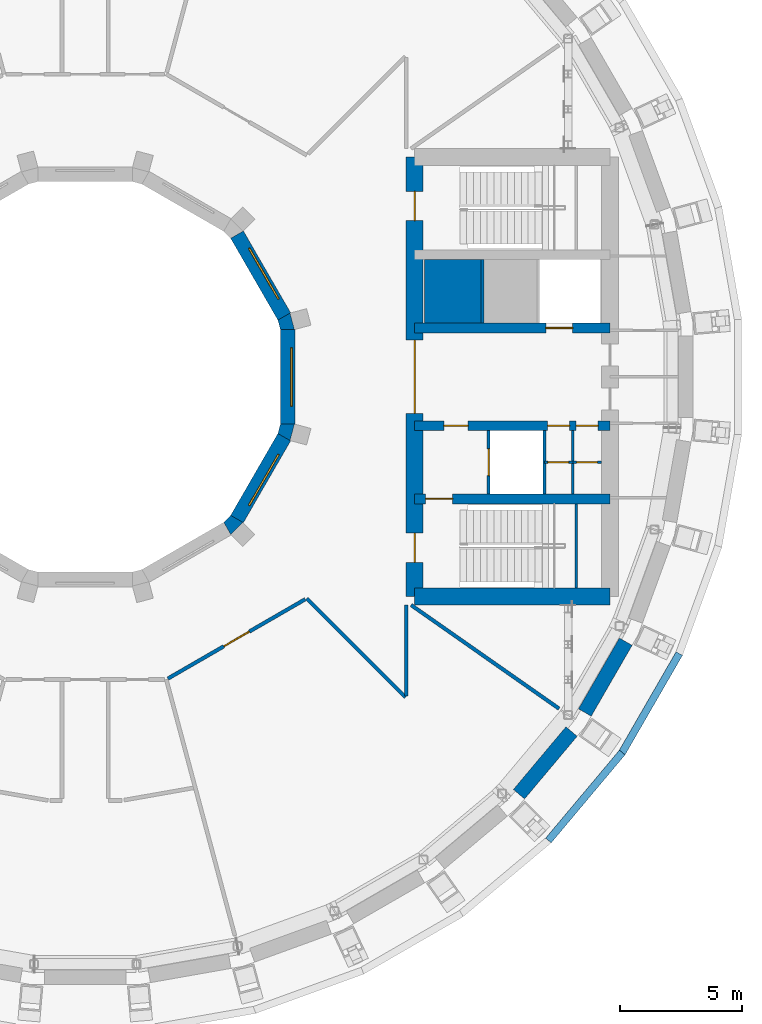
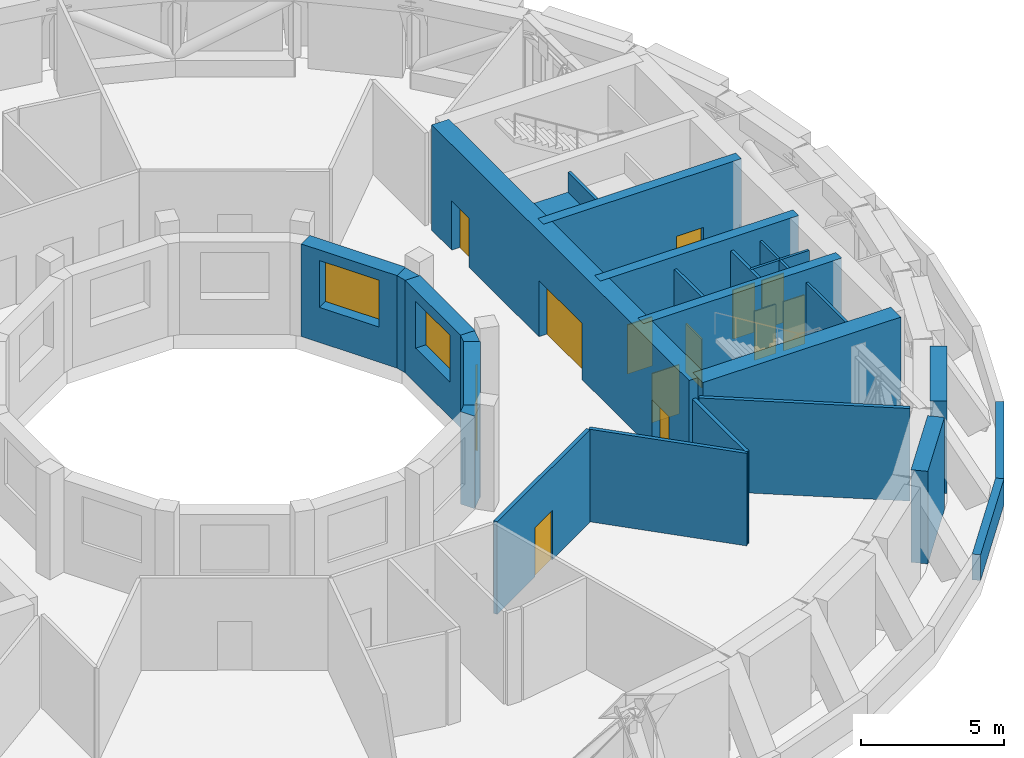
# One storey, part 12 of 20: 27 walls, 12 doors, 3 windows, 15 openings.
"""IFC4 building model written with IfcOpenShell, lengths in metres."""

from ifc_helpers import new_model, si_unit, direction, frame, frame_2d, origin, place, context, subcontext, project, spatial, polyline, rectangle, outline, extrude, material, layer, layer_set, type_object, element, fill, save


model = new_model("IFC4")

# Units and contexts
model_context = context("Model", 3, precision=1e-05, world=origin(), true_north=direction((0.0, 1.0)))
body_context = subcontext(model_context, "Body", "Model", "MODEL_VIEW")
ifc_project = project(units=[si_unit("LENGTHUNIT", "METRE"), si_unit("AREAUNIT", "SQUARE_METRE"), si_unit("VOLUMEUNIT", "CUBIC_METRE"), si_unit("PLANEANGLEUNIT", "RADIAN"), si_unit("MASSUNIT", "GRAM", prefix="KILO")], contexts=[model_context])

# Site, building, storey
site_placement = place(None, origin())
site = spatial("IfcSite", under=ifc_project, at=site_placement, CompositionType="ELEMENT")
building_placement = place(site_placement, origin())
building = spatial("IfcBuilding", under=site, at=building_placement, Name="Saqina Gate Tower", CompositionType="ELEMENT")
storey_placement = place(building_placement, frame((0.0, 0.0, 151.300048828125)))
storey = spatial("IfcBuildingStorey", under=building, at=storey_placement, Name="L43", CompositionType="ELEMENT", Elevation=151.300048828125)

# Wall
ifc_material_1 = material(Name="Gypsum board on steel studs", Category="steel")
ifc_layer_1 = layer(ifc_material_1, 0.10009765625)
ifc_layer_set_1 = layer_set([ifc_layer_1], Name="CORE PARTITION")
wall_type_1 = type_object("IfcWallType", Name="CORE PARTITION", PredefinedType="PARTITIONING", material=ifc_layer_set_1)
wall_1_placement = place(storey_placement, frame((19.97998046875, -4.800048828125, 0.0), z_axis=(0.0, 0.0, 1.0), x_axis=(0.0, 1.0, 0.0)))
element("IfcWall", 1, at=wall_1_placement, inside=storey, type_object=wall_type_1, Name="L43-CP-E10", PredefinedType="PARTITIONING", context=body_context, shape_type="SweptSolid", body=[
    extrude(rectangle(XDim=2.60009765625, YDim=0.10009765625, at=frame_2d((1.300048828125, 0.0))), origin(), (0.0, 0.0, 1.0), 3.949951171875),
])

# Wall, opening, door
wall_2_placement = place(storey_placement, frame((18.81005859375, -3.5, 0.0), z_axis=(0.0, 0.0, 1.0), x_axis=(1.0, 0.0, 0.0)))
wall_2 = element("IfcWall", 2, at=wall_2_placement, inside=storey, type_object=wall_type_1, Name="L43-CP-E11", PredefinedType="PARTITIONING", context=body_context, shape_type="SweptSolid", body=[
    extrude(rectangle(XDim=1.169921875, YDim=0.10009765625, at=frame_2d((0.5849609375, 0.0))), origin(), (0.0, 0.0, 1.0), 3.949951171875),
])
opening_1_placement = place(wall_2_placement, frame((0.14990234375, 0.0, 0.0)))
opening_1 = element("IfcOpeningElement", 3, at=opening_1_placement, cuts=wall_2, Name="Opening L43-D97", PredefinedType="OPENING", context=body_context, shape_type="SweptSolid", body=[
    extrude(rectangle(XDim=0.85009765625, YDim=2.10009765625, at=frame_2d((0.425048828125, 1.050048828125))), frame((0.0, 0.06201171875, 0.0), z_axis=(0.0, -1.0, 0.0), x_axis=(1.0, 0.0, 0.0)), (0.0, 0.0, 1.0), 0.1240234375),
])
ifc_material_2 = material(Name="Steel-framed fire door leaf, EI 60", Category="steel")
door_type_1 = type_object("IfcDoorType", Name="SERVICE ROOM DOOR 850", OperationType="SINGLE_SWING_LEFT", PredefinedType="DOOR", material=ifc_material_2)
door_1_placement = place(opening_1_placement, frame((0.85009765625, 0.0, 0.0), z_axis=(0.0, 0.0, 1.0), x_axis=(-1.0, 0.0, 0.0)))
door_1 = element("IfcDoor", 4, at=door_1_placement, inside=storey, type_object=door_type_1, Name="L43-CD-E08", OperationType="SINGLE_SWING_RIGHT", OverallHeight=2.10009765625, OverallWidth=0.85009765625, PredefinedType="DOOR", context=body_context, shape_type="SweptSolid", body=[
    extrude(rectangle(XDim=0.85009765625, YDim=2.10009765625, at=frame_2d((0.425048828125, 1.050048828125))), frame((0.0, 0.02490234375, 0.0), z_axis=(0.0, -1.0, 0.0), x_axis=(1.0, 0.0, 0.0)), (0.0, 0.0, 1.0), 0.050048828125),
])
fill(opening_1, door_1)

wall_3_placement = place(storey_placement, frame((19.97998046875, -3.5, 0.0), z_axis=(0.0, 0.0, 1.0), x_axis=(1.0, 0.0, 0.0)))
wall_3 = element("IfcWall", 5, at=wall_3_placement, inside=storey, type_object=wall_type_1, Name="L43-CP-E12", PredefinedType="PARTITIONING", context=body_context, shape_type="SweptSolid", body=[
    extrude(rectangle(XDim=1.169921875, YDim=0.10009765625, at=frame_2d((0.5849609375, 0.0))), origin(), (0.0, 0.0, 1.0), 3.949951171875),
])
opening_2_placement = place(wall_3_placement, frame((0.14990234375, 0.0, 0.0)))
opening_2 = element("IfcOpeningElement", 6, at=opening_2_placement, cuts=wall_3, Name="Opening L43-D98", PredefinedType="OPENING", context=body_context, shape_type="SweptSolid", body=[
    extrude(rectangle(XDim=0.85009765625, YDim=2.10009765625, at=frame_2d((0.425048828125, 1.050048828125))), frame((0.0, 0.06201171875, 0.0), z_axis=(0.0, -1.0, 0.0), x_axis=(1.0, 0.0, 0.0)), (0.0, 0.0, 1.0), 0.1240234375),
])
door_2_placement = place(opening_2_placement, frame((0.85009765625, 0.0, 0.0), z_axis=(0.0, 0.0, 1.0), x_axis=(-1.0, 0.0, 0.0)))
door_2 = element("IfcDoor", 7, at=door_2_placement, inside=storey, type_object=door_type_1, Name="L43-CD-E09", OperationType="SINGLE_SWING_LEFT", OverallHeight=2.10009765625, OverallWidth=0.85009765625, PredefinedType="DOOR", context=body_context, shape_type="SweptSolid", body=[
    extrude(rectangle(XDim=0.85009765625, YDim=2.10009765625, at=frame_2d((0.425048828125, 1.050048828125))), frame((0.0, 0.02490234375, 0.0), z_axis=(0.0, -1.0, 0.0), x_axis=(1.0, 0.0, 0.0)), (0.0, 0.0, 1.0), 0.050048828125),
])
fill(opening_2, door_2)

# Walls
ifc_material_3 = material(Name="Brick masonry (buff)", Category="masonry")
ifc_layer_2 = layer(ifc_material_3, 0.60009765625)
ifc_layer_set_2 = layer_set([ifc_layer_2], Name="FW-BRICK-BUFF")
wall_type_2 = type_object("IfcWallType", Name="FW-BRICK-BUFF", PredefinedType="SOLIDWALL", material=ifc_layer_set_2)
for number, where, z_axis, x_axis, name in (
    (8, (17.77197265625, -17.0986328125, 0.0), (0.0, 0.0, 1.0), (0.642747524428, 0.766078076858, 0.0), "Facade wall L43 facet 32"),
    (9, (20.47119140625, -13.752685546875, 0.0), (0.0, 0.0, 1.0), (0.499972744263, 0.866041139319, 0.0), "Facade wall L43 facet 33"),
):
    element("IfcWall", number, at=place(storey_placement, frame(where, z_axis=z_axis, x_axis=x_axis)), inside=storey, type_object=wall_type_2, Name=name, PredefinedType="SOLIDWALL", context=body_context, shape_type="SweptSolid", body=[
        extrude(rectangle(XDim=3.349365234375, YDim=0.60009765625, at=frame_2d((1.6748046875, 0.0))), origin(), (0.0, 0.0, 1.0), 3.949951171875),
    ])

# Wall, opening, window
ifc_material_4 = material(Name="Glazed ceramic tile", Category="ceramic")
ifc_layer_3 = layer(ifc_material_4, 0.60009765625)
ifc_layer_set_3 = layer_set([ifc_layer_3], Name="IW-TILE")
wall_type_3 = type_object("IfcWallType", Name="IW-TILE", PredefinedType="SOLIDWALL", material=ifc_layer_set_3)
wall_4_placement = place(storey_placement, frame((8.155517578125, 2.474365234375, 0.0), z_axis=(0.0, 0.0, 1.0), x_axis=(-0.500033728941, 0.866005929495, 0.0)))
wall_4 = element("IfcWall", 10, at=wall_4_placement, inside=storey, type_object=wall_type_3, Name="Well wall L43 facet 1", PredefinedType="SOLIDWALL", context=body_context, shape_type="SweptSolid", body=[
    extrude(rectangle(XDim=3.869873046875, YDim=0.60009765625, at=frame_2d((1.93505859375, 0.0))), origin(), (0.0, 0.0, 1.0), 3.949951171875),
])
opening_3_placement = place(wall_4_placement, frame((0.73486328125, 0.0, 1.5)))
opening_3 = element("IfcOpeningElement", 11, at=opening_3_placement, cuts=wall_4, Name="Opening L43-W01", PredefinedType="OPENING", context=body_context, shape_type="SweptSolid", body=[
    extrude(rectangle(XDim=2.39990234375, YDim=2.0, at=frame_2d((1.199951171875, 1.0))), frame((0.0, 0.31201171875, 0.0), z_axis=(0.0, -1.0, 0.0), x_axis=(1.0, 0.0, 0.0)), (0.0, 0.0, 1.0), 0.6240234375),
])
ifc_material_5 = material(Name="Aluminium glazing", Category="aluminium")
window_type = type_object("IfcWindowType", Name="WN-P", PartitioningType="SINGLE_PANEL", PredefinedType="WINDOW", material=ifc_material_5)
window_1_placement = place(opening_3_placement, origin())
window_1 = element("IfcWindow", 12, at=window_1_placement, inside=storey, type_object=window_type, Name="Well window L43 facet 1", OverallHeight=2.0, OverallWidth=2.39990234375, PartitioningType="SINGLE_PANEL", PredefinedType="WINDOW", context=body_context, shape_type="SweptSolid", body=[
    extrude(rectangle(XDim=2.39990234375, YDim=2.0, at=frame_2d((1.199951171875, 1.0))), frame((0.0, -0.119873046875, 0.0), z_axis=(0.0, -1.0, 0.0), x_axis=(1.0, 0.0, 0.0)), (0.0, 0.0, 1.0), 0.06005859375),
])
fill(opening_3, window_1)

wall_5_placement = place(storey_placement, frame((6.220458984375, -5.82568359375, 0.0), z_axis=(0.0, 0.0, 1.0), x_axis=(0.500033728941, 0.866005929495, 0.0)))
wall_5 = element("IfcWall", 13, at=wall_5_placement, inside=storey, type_object=wall_type_3, Name="Well wall L43 facet 11", PredefinedType="SOLIDWALL", context=body_context, shape_type="SweptSolid", body=[
    extrude(rectangle(XDim=3.869873046875, YDim=0.60009765625, at=frame_2d((1.93505859375, 0.0))), origin(), (0.0, 0.0, 1.0), 3.949951171875),
])
opening_4_placement = place(wall_5_placement, frame((0.73486328125, 0.0, 1.5)))
opening_4 = element("IfcOpeningElement", 14, at=opening_4_placement, cuts=wall_5, Name="Opening L43-W11", PredefinedType="OPENING", context=body_context, shape_type="SweptSolid", body=[
    extrude(rectangle(XDim=2.39990234375, YDim=2.0, at=frame_2d((1.199951171875, 1.0))), frame((0.0, 0.31201171875, 0.0), z_axis=(0.0, -1.0, 0.0), x_axis=(1.0, 0.0, 0.0)), (0.0, 0.0, 1.0), 0.6240234375),
])
window_2_placement = place(opening_4_placement, origin())
window_2 = element("IfcWindow", 15, at=window_2_placement, inside=storey, type_object=window_type, Name="Well window L43 facet 11", OverallHeight=2.0, OverallWidth=2.39990234375, PartitioningType="SINGLE_PANEL", PredefinedType="WINDOW", context=body_context, shape_type="SweptSolid", body=[
    extrude(rectangle(XDim=2.39990234375, YDim=2.0, at=frame_2d((1.199951171875, 1.0))), frame((0.0, -0.119873046875, 0.0), z_axis=(0.0, -1.0, 0.0), x_axis=(1.0, 0.0, 0.0)), (0.0, 0.0, 1.0), 0.06005859375),
])
fill(opening_4, window_2)

wall_6_placement = place(storey_placement, frame((8.300048828125, -1.934814453125, 0.0), z_axis=(0.0, 0.0, 1.0), x_axis=(0.0, 1.0, 0.0)))
wall_6 = element("IfcWall", 16, at=wall_6_placement, inside=storey, type_object=wall_type_3, Name="Well wall L43 facet 12", PredefinedType="SOLIDWALL", context=body_context, shape_type="SweptSolid", body=[
    extrude(rectangle(XDim=3.86962890625, YDim=0.60009765625, at=frame_2d((1.934814453125, 0.0))), origin(), (0.0, 0.0, 1.0), 3.949951171875),
])
opening_5_placement = place(wall_6_placement, frame((0.73486328125, 0.0, 1.5)))
opening_5 = element("IfcOpeningElement", 17, at=opening_5_placement, cuts=wall_6, Name="Opening L43-W12", PredefinedType="OPENING", context=body_context, shape_type="SweptSolid", body=[
    extrude(rectangle(XDim=2.39990234375, YDim=2.0, at=frame_2d((1.199951171875, 1.0))), frame((0.0, 0.31201171875, 0.0), z_axis=(0.0, -1.0, 0.0), x_axis=(1.0, 0.0, 0.0)), (0.0, 0.0, 1.0), 0.6240234375),
])
window_3_placement = place(opening_5_placement, origin())
window_3 = element("IfcWindow", 18, at=window_3_placement, inside=storey, type_object=window_type, Name="Well window L43 facet 12", OverallHeight=2.0, OverallWidth=2.39990234375, PartitioningType="SINGLE_PANEL", PredefinedType="WINDOW", context=body_context, shape_type="SweptSolid", body=[
    extrude(rectangle(XDim=2.39990234375, YDim=2.0, at=frame_2d((1.199951171875, 1.0))), frame((0.0, -0.119873046875, 0.0), z_axis=(0.0, -1.0, 0.0), x_axis=(1.0, 0.0, 0.0)), (0.0, 0.0, 1.0), 0.06005859375),
])
fill(opening_5, window_3)

# Walls
ifc_material_6 = material(Name="Concrete C40/50", Category="concrete")
ifc_layer_4 = layer(ifc_material_6, 2.60009765625)
ifc_layer_set_4 = layer_set([ifc_layer_4], Name="Concrete C40/50")
wall_type_4 = type_object("IfcWallType", Name="LIFT PIT PEDESTAL 2600", PredefinedType="SOLIDWALL", material=ifc_layer_set_4)
wall_7_placement = place(storey_placement, frame((13.909912109375, 3.5, 0.0), z_axis=(0.0, 0.0, 1.0), x_axis=(1.0, 0.0, 0.0)))
element("IfcWall", 19, at=wall_7_placement, inside=storey, type_object=wall_type_4, Name="LIFT PIT BASE HR1", PredefinedType="SOLIDWALL", context=body_context, shape_type="SweptSolid", body=[
    extrude(rectangle(XDim=2.31005859375, YDim=2.60009765625, at=frame_2d((1.155029296875, 0.0))), origin(), (0.0, 0.0, 1.0), 3.099853515625),
])
ifc_material_7 = material(Name="Brick masonry (buff)", Category="masonry")
ifc_layer_5 = layer(ifc_material_7, 0.300048828125)
ifc_layer_set_5 = layer_set([ifc_layer_5], Name="PA-ROOF")
wall_type_5 = type_object("IfcWallType", Name="PA-ROOF", PredefinedType="PARAPET", material=ifc_layer_set_5)
wall_8_placement = place(storey_placement, frame((18.97705078125, -18.99560546875, 0.0), z_axis=(0.0, 0.0, 1.0), x_axis=(0.642762546038, 0.766065473319, 0.0)))
element("IfcWall", 20, at=wall_8_placement, inside=storey, type_object=wall_type_5, Name="Parapet L43 edge 32", PredefinedType="PARAPET", context=body_context, shape_type="SweptSolid", body=[
    extrude(rectangle(XDim=4.70654296875, YDim=0.300048828125, at=frame_2d((2.353271484375, 0.0))), origin(), (0.0, 0.0, 1.0), 1.099853515625),
])
wall_9_placement = place(storey_placement, frame((21.9873046875, -15.41162109375, 0.0), z_axis=(0.0, 0.0, 1.0), x_axis=(0.499966433809, 0.866044782366, 0.0)))
element("IfcWall", 21, at=wall_9_placement, inside=storey, type_object=wall_type_5, Name="Parapet L43 edge 33", PredefinedType="PARAPET", context=body_context, shape_type="SweptSolid", body=[
    extrude(rectangle(XDim=4.706298828125, YDim=0.300048828125, at=frame_2d((2.35302734375, 0.0))), origin(), (0.0, 0.0, 1.0), 1.099853515625),
])
ifc_material_8 = material(Name="Autoclaved aerated concrete block", Category="concrete")
ifc_layer_6 = layer(ifc_material_8, 0.1201171875)
ifc_layer_set_6 = layer_set([ifc_layer_6], Name="SHAFT PARTITION")
wall_type_6 = type_object("IfcWallType", Name="SHAFT PARTITION", PredefinedType="PARTITIONING", material=ifc_layer_set_6)
wall_10_placement = place(storey_placement, frame((16.280029296875, 2.199951171875, 0.0), z_axis=(0.0, 0.0, 1.0), x_axis=(0.0, 1.0, 0.0)))
element("IfcWall", 22, at=wall_10_placement, inside=storey, type_object=wall_type_6, Name="L43-CP-E06", PredefinedType="PARTITIONING", context=body_context, shape_type="SweptSolid", body=[
    extrude(rectangle(XDim=2.60009765625, YDim=0.1201171875, at=frame_2d((1.300048828125, 0.0))), origin(), (0.0, 0.0, 1.0), 3.949951171875),
])

# Wall, opening, door
wall_11_placement = place(storey_placement, frame((16.530029296875, -4.800048828125, 0.0), z_axis=(0.0, 0.0, 1.0), x_axis=(0.0, 1.0, 0.0)))
wall_11 = element("IfcWall", 23, at=wall_11_placement, inside=storey, type_object=wall_type_6, Name="L43-CP-E08", PredefinedType="PARTITIONING", context=body_context, shape_type="SweptSolid", body=[
    extrude(rectangle(XDim=2.60009765625, YDim=0.1201171875, at=frame_2d((1.300048828125, 0.0))), origin(), (0.0, 0.0, 1.0), 3.949951171875),
])
opening_6_placement = place(wall_11_placement, frame((0.75, 0.0, 0.0)))
opening_6 = element("IfcOpeningElement", 24, at=opening_6_placement, cuts=wall_11, Name="Opening L43-LD2", PredefinedType="OPENING", context=body_context, shape_type="SweptSolid", body=[
    extrude(rectangle(XDim=1.10009765625, YDim=2.10009765625, at=frame_2d((0.550048828125, 1.050048828125))), frame((0.0, 0.072021484375, 0.0), z_axis=(0.0, -1.0, 0.0), x_axis=(1.0, 0.0, 0.0)), (0.0, 0.0, 1.0), 0.14404296875),
])
ifc_material_9 = material(Name="Stainless steel", Category="steel")
door_type_2 = type_object("IfcDoorType", Name="LANDING DOOR", OperationType="DOUBLE_DOOR_SLIDING", PredefinedType="DOOR", material=ifc_material_9)
door_3_placement = place(opening_6_placement, origin())
door_3 = element("IfcDoor", 25, at=door_3_placement, inside=storey, type_object=door_type_2, Name="LANDING DOOR FF1", OperationType="DOUBLE_DOOR_SLIDING", OverallHeight=2.10009765625, OverallWidth=1.10009765625, PredefinedType="DOOR", context=body_context, shape_type="SweptSolid", body=[
    extrude(rectangle(XDim=1.10009765625, YDim=2.10009765625, at=frame_2d((0.550048828125, 1.050048828125))), frame((0.0, 0.02490234375, 0.0), z_axis=(0.0, -1.0, 0.0), x_axis=(1.0, 0.0, 0.0)), (0.0, 0.0, 1.0), 0.050048828125),
])
fill(opening_6, door_3)

# Walls
wall_12_placement = place(storey_placement, frame((18.81005859375, -4.800048828125, 0.0), z_axis=(0.0, 0.0, 1.0), x_axis=(0.0, 1.0, 0.0)))
element("IfcWall", 26, at=wall_12_placement, inside=storey, type_object=wall_type_6, Name="L43-CP-E09", PredefinedType="PARTITIONING", context=body_context, shape_type="SweptSolid", body=[
    extrude(rectangle(XDim=2.60009765625, YDim=0.1201171875, at=frame_2d((1.300048828125, 0.0))), origin(), (0.0, 0.0, 1.0), 3.949951171875),
])
ifc_material_10 = material(Name="Masonry block and plaster, 150 mm, fire rated", Category="masonry")
ifc_layer_7 = layer(ifc_material_10, 0.14990234375)
ifc_layer_set_7 = layer_set([ifc_layer_7], Name="SPECIAL PARTITION EI 60 150")
wall_type_7 = type_object("IfcWallType", Name="SPECIAL PARTITION EI 60 150", PredefinedType="PARTITIONING", material=ifc_layer_set_7)
wall_13_placement = place(storey_placement, frame((9.076904296875, -9.076904296875, 0.0), z_axis=(0.0, 0.0, 1.0), x_axis=(0.707106781187, -0.707106781187, 0.0)))
element("IfcWall", 27, at=wall_13_placement, inside=storey, type_object=wall_type_7, Name="PARTITION 004", PredefinedType="PARTITIONING", context=body_context, shape_type="SweptSolid", body=[
    extrude(rectangle(XDim=5.719970703125, YDim=0.14990234375, at=frame_2d((2.85986328125, 0.0))), origin(), (0.0, 0.0, 1.0), 3.949951171875),
])
wall_14_placement = place(storey_placement, frame((13.35302734375, -9.35009765625, 0.0), z_axis=(0.0, 0.0, 1.0), x_axis=(0.819157506644, -0.573568635221, 0.0)))
element("IfcWall", 28, at=wall_14_placement, inside=storey, type_object=wall_type_7, Name="PARTITION 006", PredefinedType="PARTITIONING", context=body_context, shape_type="SweptSolid", body=[
    extrude(rectangle(XDim=7.399169921875, YDim=0.14990234375, at=frame_2d((3.69970703125, 0.0))), origin(), (0.0, 0.0, 1.0), 3.949951171875),
])

# Wall, opening, door
wall_15_placement = place(storey_placement, frame((3.387939453125, -12.362548828125, 0.0), z_axis=(0.0, 0.0, 1.0), x_axis=(0.865967095912, 0.5001009786, 0.0)))
wall_15 = element("IfcWall", 29, at=wall_15_placement, inside=storey, type_object=wall_type_7, Name="PARTITION 019", PredefinedType="PARTITIONING", context=body_context, shape_type="SweptSolid", body=[
    extrude(rectangle(XDim=6.494873046875, YDim=0.14990234375, at=frame_2d((3.24755859375, 0.0))), origin(), (0.0, 0.0, 1.0), 3.949951171875),
])
opening_7_placement = place(wall_15_placement, frame((2.647216796875, 0.0, 0.0)))
opening_7 = element("IfcOpeningElement", 30, at=opening_7_placement, cuts=wall_15, Name="Opening L43-D10", PredefinedType="OPENING", context=body_context, shape_type="SweptSolid", body=[
    extrude(rectangle(XDim=1.199951171875, YDim=2.10009765625, at=frame_2d((0.60009765625, 1.050048828125))), frame((0.0, 0.0869140625, 0.0), z_axis=(0.0, -1.0, 0.0), x_axis=(1.0, 0.0, 0.0)), (0.0, 0.0, 1.0), 0.173828125),
])
ifc_material_11 = material(Name="Steel-framed fire door leaf, EI 60", Category="steel")
door_type_3 = type_object("IfcDoorType", Name="SPECIAL DOOR 1200 FIRE EI 60", OperationType="SINGLE_SWING_LEFT", PredefinedType="DOOR", material=ifc_material_11)
door_4_placement = place(opening_7_placement, origin())
door_4 = element("IfcDoor", 31, at=door_4_placement, inside=storey, type_object=door_type_3, Name="DOOR L43-D10", OperationType="SINGLE_SWING_LEFT", OverallHeight=2.10009765625, OverallWidth=1.199951171875, PredefinedType="DOOR", context=body_context, shape_type="SweptSolid", body=[
    extrude(rectangle(XDim=1.199951171875, YDim=2.10009765625, at=frame_2d((0.60009765625, 1.050048828125))), frame((0.0, 0.02490234375, 0.0), z_axis=(0.0, -1.0, 0.0), x_axis=(1.0, 0.0, 0.0)), (0.0, 0.0, 1.0), 0.050048828125),
])
fill(opening_7, door_4)

# Walls
wall_16_placement = place(storey_placement, frame((13.14990234375, -13.074951171875, 0.0), z_axis=(0.0, 0.0, 1.0), x_axis=(0.0, 1.0, 0.0)))
element("IfcWall", 32, at=wall_16_placement, inside=storey, type_object=wall_type_7, Name="PARTITION 027", PredefinedType="PARTITIONING", context=body_context, shape_type="SweptSolid", body=[
    extrude(rectangle(XDim=3.724853515625, YDim=0.14990234375, at=frame_2d((1.8623046875, 0.0))), origin(), (0.0, 0.0, 1.0), 3.949951171875),
])
ifc_material_12 = material(Name="Autoclaved aerated concrete block", Category="concrete")
ifc_layer_8 = layer(ifc_material_12, 0.10009765625)
ifc_layer_set_8 = layer_set([ifc_layer_8], Name="STAIR ENCLOSURE WALL")
wall_type_8 = type_object("IfcWallType", Name="STAIR ENCLOSURE WALL", PredefinedType="PARTITIONING", material=ifc_layer_set_8)
wall_17_placement = place(storey_placement, frame((20.110107421875, -8.64990234375, 0.0), z_axis=(0.0, 0.0, 1.0), x_axis=(0.0, 1.0, 0.0)))
element("IfcWall", 33, at=wall_17_placement, inside=storey, type_object=wall_type_8, Name="L43-CP-E14", PredefinedType="PARTITIONING", context=body_context, shape_type="SweptSolid", body=[
    extrude(rectangle(XDim=3.449951171875, YDim=0.10009765625, at=frame_2d((1.72509765625, 0.0))), origin(), (0.0, 0.0, 1.0), 3.949951171875),
])

# Wall, opening, door
ifc_material_13 = material(Name="Concrete C60/75", Category="concrete")
ifc_layer_9 = layer(ifc_material_13, 0.39990234375)
ifc_layer_set_9 = layer_set([ifc_layer_9], Name="Concrete C60/75")
wall_type_9 = type_object("IfcWallType", Name="STR-CORE WALL-C-I", PredefinedType="SHEAR", material=ifc_layer_set_9)
wall_18_placement = place(storey_placement, frame((13.5, -5.0, 0.0), z_axis=(0.0, 0.0, 1.0), x_axis=(1.0, 0.0, 0.0)))
wall_18 = element("IfcWall", 34, at=wall_18_placement, inside=storey, type_object=wall_type_9, Name="CORE WALL L43 E-X2", PredefinedType="SHEAR", context=body_context, shape_type="SweptSolid", body=[
    extrude(rectangle(XDim=8.0, YDim=0.39990234375, at=frame_2d((4.0, 0.0))), origin(), (0.0, 0.0, 1.0), 4.5),
])
opening_8_placement = place(wall_18_placement, frame((0.449951171875, 0.0, 0.0)))
opening_8 = element("IfcOpeningElement", 35, at=opening_8_placement, cuts=wall_18, Name="Opening L43-D99", PredefinedType="OPENING", context=body_context, shape_type="SweptSolid", body=[
    extrude(rectangle(XDim=1.10009765625, YDim=2.10009765625, at=frame_2d((0.550048828125, 1.050048828125))), frame((0.0, 0.2119140625, 0.0), z_axis=(0.0, -1.0, 0.0), x_axis=(1.0, 0.0, 0.0)), (0.0, 0.0, 1.0), 0.423828125),
])
ifc_material_14 = material(Name="Steel", Category="steel")
door_type_4 = type_object("IfcDoorType", Name="FIRE LOBBY DOOR EI 60 WIDE", OperationType="SINGLE_SWING_LEFT", PredefinedType="DOOR", material=ifc_material_14)
door_5_placement = place(opening_8_placement, frame((1.10009765625, 0.0, 0.0), z_axis=(0.0, 0.0, 1.0), x_axis=(-1.0, 0.0, 0.0)))
door_5 = element("IfcDoor", 36, at=door_5_placement, inside=storey, type_object=door_type_4, Name="L43-CD-E10", OperationType="SINGLE_SWING_RIGHT", OverallHeight=2.10009765625, OverallWidth=1.10009765625, PredefinedType="DOOR", context=body_context, shape_type="SweptSolid", body=[
    extrude(rectangle(XDim=1.10009765625, YDim=2.10009765625, at=frame_2d((0.550048828125, 1.050048828125))), frame((0.0, 0.02490234375, 0.0), z_axis=(0.0, -1.0, 0.0), x_axis=(1.0, 0.0, 0.0)), (0.0, 0.0, 1.0), 0.050048828125),
])
fill(opening_8, door_5)

wall_19_placement = place(storey_placement, frame((13.5, 2.0, 0.0), z_axis=(0.0, 0.0, 1.0), x_axis=(1.0, 0.0, 0.0)))
wall_19 = element("IfcWall", 37, at=wall_19_placement, inside=storey, type_object=wall_type_9, Name="CORE WALL L43 E-L1", PredefinedType="SHEAR", context=body_context, shape_type="SweptSolid", body=[
    extrude(rectangle(XDim=8.0, YDim=0.39990234375, at=frame_2d((4.0, 0.0))), origin(), (0.0, 0.0, 1.0), 4.5),
])
opening_9_placement = place(wall_19_placement, frame((5.3701171875, 0.0, 0.0)))
opening_9 = element("IfcOpeningElement", 38, at=opening_9_placement, cuts=wall_19, Name="Opening L43-LD1", PredefinedType="OPENING", context=body_context, shape_type="SweptSolid", body=[
    extrude(rectangle(XDim=1.10009765625, YDim=2.10009765625, at=frame_2d((0.550048828125, 1.050048828125))), frame((0.0, 0.2119140625, 0.0), z_axis=(0.0, -1.0, 0.0), x_axis=(1.0, 0.0, 0.0)), (0.0, 0.0, 1.0), 0.423828125),
])
door_6_placement = place(opening_9_placement, origin())
door_6 = element("IfcDoor", 39, at=door_6_placement, inside=storey, type_object=door_type_2, Name="LANDING DOOR MR1", OperationType="DOUBLE_DOOR_SLIDING", OverallHeight=2.10009765625, OverallWidth=1.10009765625, PredefinedType="DOOR", context=body_context, shape_type="SweptSolid", body=[
    extrude(rectangle(XDim=1.10009765625, YDim=2.10009765625, at=frame_2d((0.550048828125, 1.050048828125))), frame((0.0, 0.02490234375, 0.0), z_axis=(0.0, -1.0, 0.0), x_axis=(1.0, 0.0, 0.0)), (0.0, 0.0, 1.0), 0.050048828125),
])
fill(opening_9, door_6)

# Wall, openings, doors
wall_20_placement = place(storey_placement, frame((13.5, -2.0, 0.0), z_axis=(0.0, 0.0, 1.0), x_axis=(1.0, 0.0, 0.0)))
wall_20 = element("IfcWall", 40, at=wall_20_placement, inside=storey, type_object=wall_type_9, Name="CORE WALL L43 E-L2", PredefinedType="SHEAR", context=body_context, shape_type="SweptSolid", body=[
    extrude(rectangle(XDim=8.0, YDim=0.39990234375, at=frame_2d((4.0, 0.0))), origin(), (0.0, 0.0, 1.0), 4.5),
])
opening_10_placement = place(wall_20_placement, frame((1.18994140625, 0.0, 0.0)))
opening_10 = element("IfcOpeningElement", 41, at=opening_10_placement, cuts=wall_20, Name="Opening L43-D90", PredefinedType="OPENING", context=body_context, shape_type="SweptSolid", body=[
    extrude(rectangle(XDim=1.0, YDim=2.10009765625, at=frame_2d((0.5, 1.050048828125))), frame((0.0, 0.2119140625, 0.0), z_axis=(0.0, -1.0, 0.0), x_axis=(1.0, 0.0, 0.0)), (0.0, 0.0, 1.0), 0.423828125),
])
opening_11_placement = place(wall_20_placement, frame((5.445068359375, 0.0, 0.0)))
opening_11 = element("IfcOpeningElement", 42, at=opening_11_placement, cuts=wall_20, Name="Opening L43-D91", PredefinedType="OPENING", context=body_context, shape_type="SweptSolid", body=[
    extrude(rectangle(XDim=0.89990234375, YDim=2.10009765625, at=frame_2d((0.449951171875, 1.050048828125))), frame((0.0, 0.2119140625, 0.0), z_axis=(0.0, -1.0, 0.0), x_axis=(1.0, 0.0, 0.0)), (0.0, 0.0, 1.0), 0.423828125),
])
opening_12_placement = place(wall_20_placement, frame((6.614990234375, 0.0, 0.0)))
opening_12 = element("IfcOpeningElement", 43, at=opening_12_placement, cuts=wall_20, Name="Opening L43-D92", PredefinedType="OPENING", context=body_context, shape_type="SweptSolid", body=[
    extrude(rectangle(XDim=0.89990234375, YDim=2.10009765625, at=frame_2d((0.449951171875, 1.050048828125))), frame((0.0, 0.2119140625, 0.0), z_axis=(0.0, -1.0, 0.0), x_axis=(1.0, 0.0, 0.0)), (0.0, 0.0, 1.0), 0.423828125),
])
ifc_material_15 = material(Name="Steel", Category="steel")
door_type_5 = type_object("IfcDoorType", Name="FIRE LOBBY DOOR EI 60", OperationType="SINGLE_SWING_LEFT", PredefinedType="DOOR", material=ifc_material_15)
door_7_placement = place(opening_10_placement, origin())
door_7 = element("IfcDoor", 44, at=door_7_placement, inside=storey, type_object=door_type_5, Name="L43-CD-E01", OperationType="SINGLE_SWING_LEFT", OverallHeight=2.10009765625, OverallWidth=1.0, PredefinedType="DOOR", context=body_context, shape_type="SweptSolid", body=[
    extrude(rectangle(XDim=1.0, YDim=2.10009765625, at=frame_2d((0.5, 1.050048828125))), frame((0.0, 0.02490234375, 0.0), z_axis=(0.0, -1.0, 0.0), x_axis=(1.0, 0.0, 0.0)), (0.0, 0.0, 1.0), 0.050048828125),
])
fill(opening_10, door_7)
ifc_material_16 = material(Name="Steel-framed fire door leaf, EI 60", Category="steel")
door_type_6 = type_object("IfcDoorType", Name="SERVICE ROOM DOOR 900", OperationType="SINGLE_SWING_LEFT", PredefinedType="DOOR", material=ifc_material_16)
door_8_placement = place(opening_11_placement, frame((0.89990234375, 0.0, 0.0), z_axis=(0.0, 0.0, 1.0), x_axis=(-1.0, 0.0, 0.0)))
door_8 = element("IfcDoor", 45, at=door_8_placement, inside=storey, type_object=door_type_6, Name="L43-CD-E02", OperationType="SINGLE_SWING_RIGHT", OverallHeight=2.10009765625, OverallWidth=0.89990234375, PredefinedType="DOOR", context=body_context, shape_type="SweptSolid", body=[
    extrude(rectangle(XDim=0.89990234375, YDim=2.10009765625, at=frame_2d((0.449951171875, 1.050048828125))), frame((0.0, 0.02490234375, 0.0), z_axis=(0.0, -1.0, 0.0), x_axis=(1.0, 0.0, 0.0)), (0.0, 0.0, 1.0), 0.050048828125),
])
fill(opening_11, door_8)
door_9_placement = place(opening_12_placement, frame((0.89990234375, 0.0, 0.0), z_axis=(0.0, 0.0, 1.0), x_axis=(-1.0, 0.0, 0.0)))
door_9 = element("IfcDoor", 46, at=door_9_placement, inside=storey, type_object=door_type_6, Name="L43-CD-E03", OperationType="SINGLE_SWING_LEFT", OverallHeight=2.10009765625, OverallWidth=0.89990234375, PredefinedType="DOOR", context=body_context, shape_type="SweptSolid", body=[
    extrude(rectangle(XDim=0.89990234375, YDim=2.10009765625, at=frame_2d((0.449951171875, 1.050048828125))), frame((0.0, 0.02490234375, 0.0), z_axis=(0.0, -1.0, 0.0), x_axis=(1.0, 0.0, 0.0)), (0.0, 0.0, 1.0), 0.050048828125),
])
fill(opening_12, door_9)

ifc_material_17 = material(Name="Concrete C60/75", Category="concrete")
ifc_layer_10 = layer(ifc_material_17, 0.699951171875)
ifc_layer_set_10 = layer_set([ifc_layer_10], Name="Concrete C60/75")
wall_type_10 = type_object("IfcWallType", Name="STR-CORE WALL-C-O", PredefinedType="SHEAR", material=ifc_layer_set_10)
wall_21_placement = place(storey_placement, frame((13.5, -9.0, 0.0), z_axis=(0.0, 0.0, 1.0), x_axis=(0.0, 1.0, 0.0)))
wall_21 = element("IfcWall", 47, at=wall_21_placement, inside=storey, type_object=wall_type_10, Name="CORE WALL L43 E-W1", PredefinedType="SHEAR", context=body_context, shape_type="SweptSolid", body=[
    extrude(rectangle(XDim=18.0, YDim=0.699951171875, at=frame_2d((9.0, 0.0))), origin(), (0.0, 0.0, 1.0), 4.5),
])
opening_13_placement = place(wall_21_placement, frame((15.39990234375, 0.0, 0.0)))
opening_13 = element("IfcOpeningElement", 48, at=opening_13_placement, cuts=wall_21, Name="Opening L43-D100", PredefinedType="OPENING", context=body_context, shape_type="SweptSolid", body=[
    extrude(rectangle(XDim=1.199951171875, YDim=2.10009765625, at=frame_2d((0.60009765625, 1.050048828125))), frame((0.0, 0.362060546875, 0.0), z_axis=(0.0, -1.0, 0.0), x_axis=(1.0, 0.0, 0.0)), (0.0, 0.0, 1.0), 0.723876953125),
])
opening_14_placement = place(wall_21_placement, frame((1.39990234375, 0.0, 0.0)))
opening_14 = element("IfcOpeningElement", 49, at=opening_14_placement, cuts=wall_21, Name="Opening L43-D101", PredefinedType="OPENING", context=body_context, shape_type="SweptSolid", body=[
    extrude(rectangle(XDim=1.199951171875, YDim=2.10009765625, at=frame_2d((0.60009765625, 1.050048828125))), frame((0.0, 0.362060546875, 0.0), z_axis=(0.0, -1.0, 0.0), x_axis=(1.0, 0.0, 0.0)), (0.0, 0.0, 1.0), 0.723876953125),
])
opening_15_placement = place(wall_21_placement, frame((7.5, 0.0, 0.0)))
opening_15 = element("IfcOpeningElement", 50, at=opening_15_placement, cuts=wall_21, Name="Opening L43-D102", PredefinedType="OPENING", context=body_context, shape_type="SweptSolid", body=[
    extrude(rectangle(XDim=3.0, YDim=2.39990234375, at=frame_2d((1.5, 1.199951171875))), frame((0.0, 0.362060546875, 0.0), z_axis=(0.0, -1.0, 0.0), x_axis=(1.0, 0.0, 0.0)), (0.0, 0.0, 1.0), 0.723876953125),
])
ifc_material_18 = material(Name="Steel", Category="steel")
door_type_7 = type_object("IfcDoorType", Name="FIRE DOOR EI 60", OperationType="SINGLE_SWING_LEFT", PredefinedType="DOOR", material=ifc_material_18)
door_10_placement = place(opening_13_placement, frame((1.199951171875, 0.0, 0.0), z_axis=(0.0, 0.0, 1.0), x_axis=(-1.0, 0.0, 0.0)))
door_10 = element("IfcDoor", 51, at=door_10_placement, inside=storey, type_object=door_type_7, Name="L43-CD-E11", OperationType="SINGLE_SWING_LEFT", OverallHeight=2.10009765625, OverallWidth=1.199951171875, PredefinedType="DOOR", context=body_context, shape_type="SweptSolid", body=[
    extrude(rectangle(XDim=1.199951171875, YDim=2.10009765625, at=frame_2d((0.60009765625, 1.050048828125))), frame((0.0, 0.02490234375, 0.0), z_axis=(0.0, -1.0, 0.0), x_axis=(1.0, 0.0, 0.0)), (0.0, 0.0, 1.0), 0.050048828125),
])
fill(opening_13, door_10)
door_11_placement = place(opening_14_placement, frame((1.199951171875, 0.0, 0.0), z_axis=(0.0, 0.0, 1.0), x_axis=(-1.0, 0.0, 0.0)))
door_11 = element("IfcDoor", 52, at=door_11_placement, inside=storey, type_object=door_type_7, Name="L43-CD-E12", OperationType="SINGLE_SWING_RIGHT", OverallHeight=2.10009765625, OverallWidth=1.199951171875, PredefinedType="DOOR", context=body_context, shape_type="SweptSolid", body=[
    extrude(rectangle(XDim=1.199951171875, YDim=2.10009765625, at=frame_2d((0.60009765625, 1.050048828125))), frame((0.0, 0.02490234375, 0.0), z_axis=(0.0, -1.0, 0.0), x_axis=(1.0, 0.0, 0.0)), (0.0, 0.0, 1.0), 0.050048828125),
])
fill(opening_14, door_11)
ifc_material_19 = material(Name="Steel and fire-resisting glass", Category="steel")
door_type_8 = type_object("IfcDoorType", Name="LOBBY SCREEN DOOR", OperationType="DOUBLE_DOOR_SLIDING", PredefinedType="DOOR", material=ifc_material_19)
door_12_placement = place(opening_15_placement, origin())
door_12 = element("IfcDoor", 53, at=door_12_placement, inside=storey, type_object=door_type_8, Name="L43-CD-E13", OperationType="DOUBLE_DOOR_SLIDING", OverallHeight=2.39990234375, OverallWidth=3.0, PredefinedType="DOOR", context=body_context, shape_type="SweptSolid", body=[
    extrude(rectangle(XDim=3.0, YDim=2.39990234375, at=frame_2d((1.5, 1.199951171875))), frame((0.0, 0.02490234375, 0.0), z_axis=(0.0, -1.0, 0.0), x_axis=(1.0, 0.0, 0.0)), (0.0, 0.0, 1.0), 0.050048828125),
])
fill(opening_15, door_12)

# Walls
wall_22_placement = place(storey_placement, frame((13.5, -9.0, 0.0), z_axis=(0.0, 0.0, 1.0), x_axis=(1.0, 0.0, 0.0)))
element("IfcWall", 54, at=wall_22_placement, inside=storey, type_object=wall_type_10, Name="CORE WALL L43 E-SE", PredefinedType="SHEAR", context=body_context, shape_type="SweptSolid", body=[
    extrude(rectangle(XDim=8.0, YDim=0.699951171875, at=frame_2d((4.0, 0.0))), origin(), (0.0, 0.0, 1.0), 4.5),
])
ifc_material_20 = material(Name="Glazed ceramic tile", Category="ceramic")
wall_type_11 = type_object("IfcWallType", Name="TILE PIER COPING", PredefinedType="SOLIDWALL", material=ifc_material_20)
wall_23_placement = place(storey_placement, origin())
element("IfcWall", 55, at=wall_23_placement, inside=storey, type_object=wall_type_11, Name="Well pier cap L43 column 1", PredefinedType="SOLIDWALL", context=body_context, shape_type="SweptSolid", body=[
    extrude(outline(polyline([(8.392333984375, 2.611083984375), (7.895751953125, 2.32421875), (8.0, 1.934814453125), (8.573486328125, 1.934814453125), (8.392333984375, 2.611083984375)])), origin(), (0.0, 0.0, 1.0), 3.949951171875),
])
wall_24_placement = place(storey_placement, origin())
element("IfcWall", 56, at=wall_24_placement, inside=storey, type_object=wall_type_11, Name="Well pier cap L43 column 11", PredefinedType="SOLIDWALL", context=body_context, shape_type="SweptSolid", body=[
    extrude(outline(polyline([(5.96240234375, -6.45751953125), (6.45751953125, -5.96240234375), (5.960693359375, -5.67578125), (5.67578125, -5.960693359375), (5.96240234375, -6.45751953125)])), origin(), (0.0, 0.0, 1.0), 3.949951171875),
])
wall_25_placement = place(storey_placement, origin())
element("IfcWall", 57, at=wall_25_placement, inside=storey, type_object=wall_type_11, Name="Well pier cap L43 column 12", PredefinedType="SOLIDWALL", context=body_context, shape_type="SweptSolid", body=[
    extrude(outline(polyline([(8.573486328125, -1.934814453125), (8.0, -1.934814453125), (7.895751953125, -2.32421875), (8.392333984375, -2.611083984375), (8.573486328125, -1.934814453125)])), origin(), (0.0, 0.0, 1.0), 3.949951171875),
])

save(model, "model.ifc")
